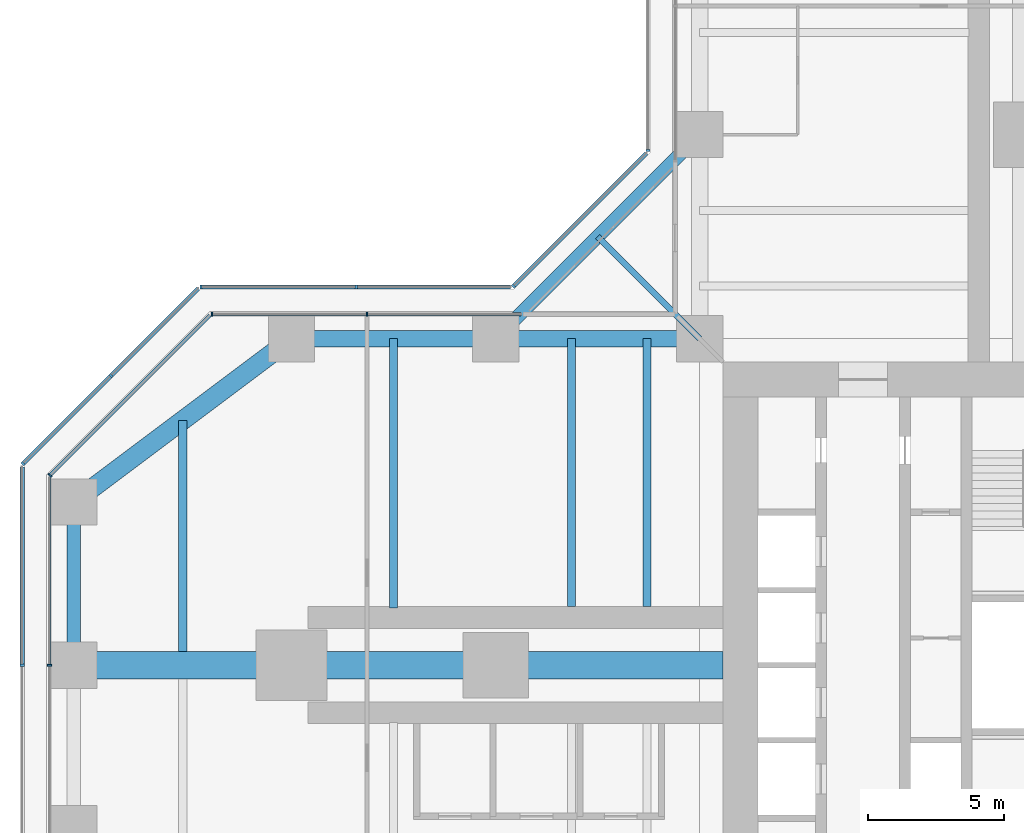
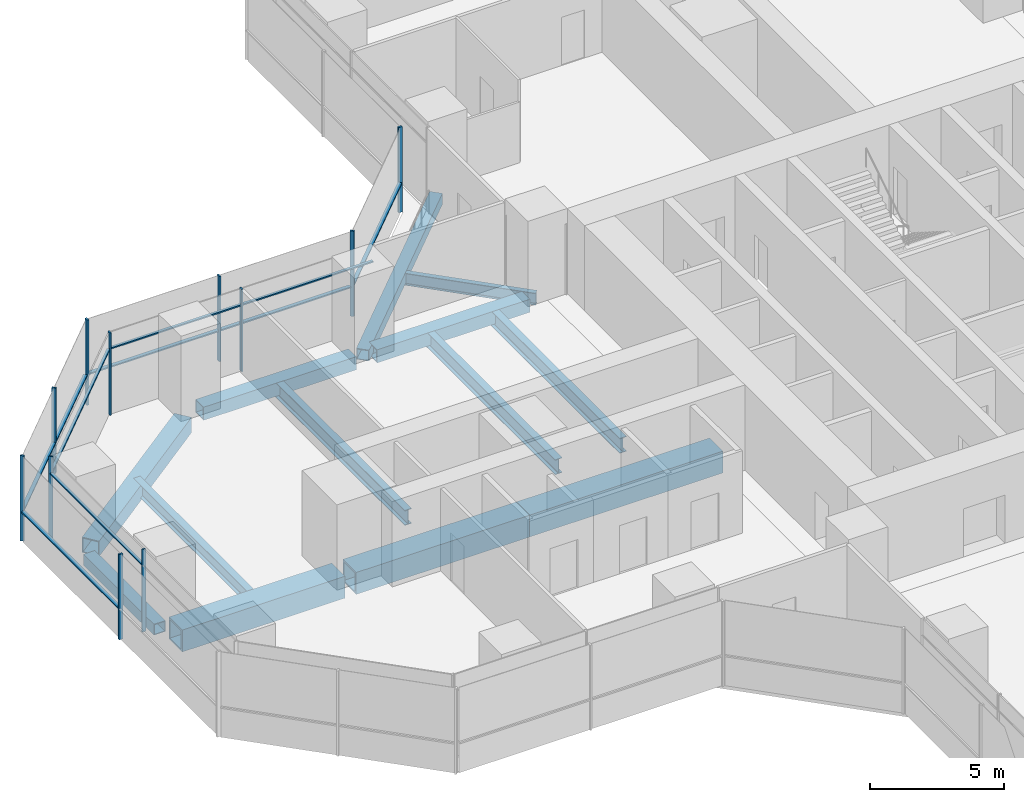
# One storey, part 8 of 22: 21 members, 13 beams, 8 elements without a shape of their own.
"""IFC4 building model written with IfcOpenShell, lengths in metres."""

from ifc_helpers import new_model, si_unit, direction, frame, origin, origin_2d, place, context, subcontext, project, spatial, rectangle, hollow_rectangle, i_section, extrude, material, material_profile, profile_set, type_object, element, aggregate, save


model = new_model("IFC4")

# Units and contexts
model_context = context("Model", 3, precision=1e-05, world=origin(), true_north=direction((0.0, 1.0)))
body_context = subcontext(model_context, "Body", "Model", "MODEL_VIEW")
ifc_project = project(units=[si_unit("LENGTHUNIT", "METRE"), si_unit("AREAUNIT", "SQUARE_METRE"), si_unit("VOLUMEUNIT", "CUBIC_METRE"), si_unit("PLANEANGLEUNIT", "RADIAN"), si_unit("MASSUNIT", "GRAM", prefix="KILO")], contexts=[model_context])

# Site, building, storey
site_placement = place(None, origin())
site = spatial("IfcSite", under=ifc_project, at=site_placement, CompositionType="ELEMENT")
building_placement = place(site_placement, origin())
building = spatial("IfcBuilding", under=site, at=building_placement, Name="Mizan Broadcast Tower", CompositionType="ELEMENT")
storey_placement = place(building_placement, frame((0.0, 0.0, 43.5)))
storey = spatial("IfcBuildingStorey", under=building, at=storey_placement, Name="L07", CompositionType="ELEMENT", Elevation=43.5)

# Beams
ifc_material_1 = material(Name="Steel S355", Category="steel")
ifc_material_profile_1 = material_profile(ifc_material_1, hollow_rectangle(XDim=0.5, YDim=0.5, WallThickness=0.030029296875, at=origin_2d()), Name="BOX 500x500x30")
ifc_profile_set_1 = profile_set([ifc_material_profile_1], Name="Steel S355")
beam_type_1 = type_object("IfcBeamType", Name="EDGE BEAM BOX 500x500x30", PredefinedType="SPANDREL", material=ifc_profile_set_1)
beam_1_placement = place(storey_placement, frame((-35.0, 5.639892578125, -0.3798828125), z_axis=(0.0, -1.0, 0.0), x_axis=(1.0, 0.0, 0.0)))
element("IfcBeam", 1, at=beam_1_placement, inside=storey, type_object=beam_type_1, Name="Edge beam BOX 500x500x30 L07 west arm", PredefinedType="SPANDREL", context=body_context, shape_type="SweptSolid", body=[
    extrude(hollow_rectangle(XDim=0.5, YDim=0.5, WallThickness=0.030029296875, at=origin_2d()), origin(), (0.0, 0.0, 1.0), 5.27978515625),
])
beam_2_placement = place(storey_placement, frame((-12.0, 19.5, -0.3798828125), z_axis=(-0.707106781187, -0.707106781187, 0.0), x_axis=(0.707106781187, -0.707106781187, 0.0)))
element("IfcBeam", 2, at=beam_2_placement, inside=storey, type_object=beam_type_1, Name="Winter garden edge beam L07 N", PredefinedType="SPANDREL", context=body_context, shape_type="SweptSolid", body=[
    extrude(hollow_rectangle(XDim=0.5, YDim=0.5, WallThickness=0.030029296875, at=origin_2d()), origin(), (0.0, 0.0, 1.0), 10.606689453125),
])
ifc_material_2 = material(Name="Steel S355", Category="steel")
ifc_material_profile_2 = material_profile(ifc_material_2, hollow_rectangle(XDim=0.60009765625, YDim=0.60009765625, WallThickness=0.0400390625, at=origin_2d()), Name="BOX 600x600x40")
ifc_profile_set_2 = profile_set([ifc_material_profile_2], Name="Steel S355")
beam_type_2 = type_object("IfcBeamType", Name="EDGE BEAM BOX 600x600x40", PredefinedType="SPANDREL", material=ifc_profile_set_2)
for number, where, z_axis, x_axis, name in (
    (3, (-12.449951171875, 12.0, -0.429931640625), (-1.0, 0.0, 0.0), (0.0, -1.0, 0.0), "Edge beam BOX 600x600x40 L07 west arm"),
    (4, (-19.949951171875, 12.0, -0.429931640625), (-1.0, 0.0, 0.0), (0.0, -1.0, 0.0), "Edge beam BOX 600x600x40 L07 west arm"),
):
    element("IfcBeam", number, at=place(storey_placement, frame(where, z_axis=z_axis, x_axis=x_axis)), inside=storey, type_object=beam_type_2, Name=name, PredefinedType="SPANDREL", context=body_context, shape_type="SweptSolid", body=[
        extrude(hollow_rectangle(XDim=0.60009765625, YDim=0.60009765625, WallThickness=0.0400390625, at=origin_2d()), origin(), (0.0, 0.0, 1.0), 6.60009765625),
    ])
ifc_material_3 = material(Name="Steel S355", Category="steel")
ifc_material_profile_3 = material_profile(ifc_material_3, hollow_rectangle(XDim=0.699951171875, YDim=0.699951171875, WallThickness=0.0400390625, at=origin_2d()), Name="BOX 700x700x40")
ifc_profile_set_3 = profile_set([ifc_material_profile_3], Name="Steel S355")
beam_type_3 = type_object("IfcBeamType", Name="EDGE BEAM BOX 700x700x40", PredefinedType="SPANDREL", material=ifc_profile_set_3)
beam_3_placement = place(storey_placement, frame((-27.47998046875, 11.639892578125, -0.47998046875), z_axis=(-0.800013316712, -0.599982243973, 0.0), x_axis=(0.599982243973, -0.800013316712, 0.0)))
element("IfcBeam", 5, at=beam_3_placement, inside=storey, type_object=beam_type_3, Name="Edge beam BOX 700x700x40 L07 west arm", PredefinedType="SPANDREL", context=body_context, shape_type="SweptSolid", body=[
    extrude(hollow_rectangle(XDim=0.699951171875, YDim=0.699951171875, WallThickness=0.0400390625, at=origin_2d()), origin(), (0.0, 0.0, 1.0), 8.7998046875),
])
ifc_material_4 = material(Name="Steel S460", Category="steel")
ifc_material_profile_4 = material_profile(ifc_material_4, hollow_rectangle(XDim=1.0, YDim=1.0, WallThickness=0.080078125, at=origin_2d()), Name="BOX 1000x1000x80")
ifc_profile_set_4 = profile_set([ifc_material_profile_4], Name="Steel S460")
beam_type_4 = type_object("IfcBeamType", Name="GIRDER BOX 1000x1000x80", PredefinedType="BEAM", material=ifc_profile_set_4)
beam_4_placement = place(storey_placement, frame((-27.47998046875, 0.0, -0.6298828125), z_axis=(-1.0, 0.0, 0.0), x_axis=(0.0, -1.0, 0.0)))
element("IfcBeam", 6, at=beam_4_placement, inside=storey, type_object=beam_type_4, Name="Girder BOX 1000x1000x80 L07 west arm", PredefinedType="BEAM", context=body_context, shape_type="SweptSolid", body=[
    extrude(hollow_rectangle(XDim=1.0, YDim=1.0, WallThickness=0.080078125, at=origin_2d()), origin(), (0.0, 0.0, 1.0), 7.0400390625),
])

# Curtain wall, members
ifc_material_5 = material(Name="Aluminium framed glazing", Category="aluminium")
curtain_wall_type_1 = type_object("IfcCurtainWallType", Name="INNER SKIN LOW ZONE", PredefinedType="USERDEFINED", material=ifc_material_5)
curtain_wall_1_placement = place(storey_placement, origin())
curtain_wall_1 = element("IfcCurtainWall", 7, at=curtain_wall_1_placement, inside=storey, type_object=curtain_wall_type_1, Name="Inner skin low zone L07 W side", ObjectType="INNER SKIN LOW ZONE", PredefinedType="USERDEFINED")
ifc_material_6 = material(Name="Aluminium, pale anodised", Category="aluminium")
ifc_material_profile_5 = material_profile(ifc_material_6, rectangle(XDim=0.159912109375, YDim=0.06005859375, at=origin_2d()), Name="MULLION 160x60")
ifc_profile_set_5 = profile_set([ifc_material_profile_5], Name="Aluminium, pale anodised")
member_type_1 = type_object("IfcMemberType", Name="INNER SKIN MULLION 60x160", PredefinedType="MULLION", material=ifc_profile_set_5)
member_1_placement = place(storey_placement, frame((-24.229248046875, 12.89990234375, 0.0), z_axis=(0.0, 0.0, 1.0), x_axis=(0.0, -1.0, 0.0)))
member_1 = element("IfcMember", 8, at=member_1_placement, type_object=member_type_1, Name="Inner skin low zone L07 W side mullion 2", PredefinedType="MULLION", context=body_context, shape_type="SweptSolid", body=[
    extrude(rectangle(XDim=0.159912109375, YDim=0.06005859375, at=origin_2d()), origin(), (0.0, 0.0, 1.0), 3.77001953125),
])
member_2_placement = place(storey_placement, frame((-29.928466796875, 12.89990234375, 0.0), z_axis=(0.0, 0.0, 1.0), x_axis=(0.0, -1.0, 0.0)))
member_2 = element("IfcMember", 9, at=member_2_placement, type_object=member_type_1, Name="Inner skin low zone L07 W side mullion 3", PredefinedType="MULLION", context=body_context, shape_type="SweptSolid", body=[
    extrude(rectangle(XDim=0.159912109375, YDim=0.06005859375, at=origin_2d()), origin(), (0.0, 0.0, 1.0), 3.77001953125),
])

# Curtain wall, member
curtain_wall_2_placement = place(storey_placement, origin())
curtain_wall_2 = element("IfcCurtainWall", 10, at=curtain_wall_2_placement, inside=storey, type_object=curtain_wall_type_1, Name="Inner skin low zone L07 W chamfer", ObjectType="INNER SKIN LOW ZONE", PredefinedType="USERDEFINED")
member_3_placement = place(storey_placement, frame((-35.87890625, 6.979736328125, 0.0), z_axis=(0.0, 0.0, 1.0), x_axis=(0.707106781187, -0.707106781187, 0.0)))
member_3 = element("IfcMember", 11, at=member_3_placement, type_object=member_type_1, Name="Inner skin low zone L07 W chamfer mullion 2", PredefinedType="MULLION", context=body_context, shape_type="SweptSolid", body=[
    extrude(rectangle(XDim=0.159912109375, YDim=0.06005859375, at=origin_2d()), origin(), (0.0, 0.0, 1.0), 3.77001953125),
])

curtain_wall_3_placement = place(storey_placement, origin())
curtain_wall_3 = element("IfcCurtainWall", 12, at=curtain_wall_3_placement, inside=storey, type_object=curtain_wall_type_1, Name="Inner skin low zone L07 W end", ObjectType="INNER SKIN LOW ZONE", PredefinedType="USERDEFINED")
member_4_placement = place(storey_placement, frame((-35.89990234375, 0.0, 0.0), z_axis=(0.0, 0.0, 1.0), x_axis=(1.0, 0.0, 0.0)))
member_4 = element("IfcMember", 13, at=member_4_placement, type_object=member_type_1, Name="Inner skin low zone L07 W end mullion 2", PredefinedType="MULLION", context=body_context, shape_type="SweptSolid", body=[
    extrude(rectangle(XDim=0.159912109375, YDim=0.06005859375, at=origin_2d()), origin(), (0.0, 0.0, 1.0), 3.77001953125),
])

# Member
ifc_material_7 = material(Name="Aluminium, pale anodised", Category="aluminium")
ifc_material_profile_6 = material_profile(ifc_material_7, rectangle(XDim=0.1201171875, YDim=0.06005859375, at=origin_2d()), Name="TRANSOM 120x60")
ifc_profile_set_6 = profile_set([ifc_material_profile_6], Name="Aluminium, pale anodised")
member_type_2 = type_object("IfcMemberType", Name="INNER SKIN TRANSOM 60x120", PredefinedType="USERDEFINED", material=ifc_profile_set_6)
member_5_placement = place(storey_placement, frame((-18.56005859375, 12.89990234375, 3.030029296875), z_axis=(-1.0, 0.0, 0.0), x_axis=(0.0, -1.0, 0.0)))
member_5 = element("IfcMember", 14, at=member_5_placement, type_object=member_type_2, Name="Inner skin low zone L07 W side transom 1.1", ObjectType="TRANSOM", PredefinedType="USERDEFINED", context=body_context, shape_type="SweptSolid", body=[
    extrude(rectangle(XDim=0.1201171875, YDim=0.06005859375, at=origin_2d()), origin(), (0.0, 0.0, 1.0), 5.63916015625),
])

member_6_placement = place(storey_placement, frame((-24.25927734375, 12.89990234375, 3.030029296875), z_axis=(-1.0, 0.0, 0.0), x_axis=(0.0, -1.0, 0.0)))
member_6 = element("IfcMember", 15, at=member_6_placement, type_object=member_type_2, Name="Inner skin low zone L07 W side transom 2.1", ObjectType="TRANSOM", PredefinedType="USERDEFINED", context=body_context, shape_type="SweptSolid", body=[
    extrude(rectangle(XDim=0.1201171875, YDim=0.06005859375, at=origin_2d()), origin(), (0.0, 0.0, 1.0), 5.639404296875),
])

aggregate(curtain_wall_1, [member_1, member_2, member_5, member_6])

member_7_placement = place(storey_placement, frame((-30.0009765625, 12.857666015625, 3.030029296875), z_axis=(-0.707106781187, -0.707106781187, 0.0), x_axis=(0.707106781187, -0.707106781187, 0.0)))
member_7 = element("IfcMember", 16, at=member_7_placement, type_object=member_type_2, Name="Inner skin low zone L07 W chamfer transom 1.1", ObjectType="TRANSOM", PredefinedType="USERDEFINED", context=body_context, shape_type="SweptSolid", body=[
    extrude(rectangle(XDim=0.1201171875, YDim=0.06005859375, at=origin_2d()), origin(), (0.0, 0.0, 1.0), 8.28271484375),
])

aggregate(curtain_wall_2, [member_3, member_7])

member_8_placement = place(storey_placement, frame((-35.89990234375, 6.898681640625, 3.030029296875), z_axis=(0.0, -1.0, 0.0), x_axis=(1.0, 0.0, 0.0)))
member_8 = element("IfcMember", 17, at=member_8_placement, type_object=member_type_2, Name="Inner skin low zone L07 W end transom 1.1", ObjectType="TRANSOM", PredefinedType="USERDEFINED", context=body_context, shape_type="SweptSolid", body=[
    extrude(rectangle(XDim=0.1201171875, YDim=0.06005859375, at=origin_2d()), origin(), (0.0, 0.0, 1.0), 6.86865234375),
])

aggregate(curtain_wall_3, [member_4, member_8])

# Curtain wall, member
ifc_material_8 = material(Name="Aluminium framed glazing", Category="aluminium")
curtain_wall_type_2 = type_object("IfcCurtainWallType", Name="OUTER SKIN", PredefinedType="USERDEFINED", material=ifc_material_8)
curtain_wall_4_placement = place(storey_placement, origin())
curtain_wall_4 = element("IfcCurtainWall", 18, at=curtain_wall_4_placement, inside=storey, type_object=curtain_wall_type_2, Name="Outer skin L07 N side", ObjectType="OUTER SKIN", PredefinedType="USERDEFINED")
ifc_material_9 = material(Name="Aluminium, pale anodised", Category="aluminium")
ifc_material_profile_7 = material_profile(ifc_material_9, rectangle(XDim=0.159912109375, YDim=0.080078125, at=origin_2d()), Name="MULLION 160x80")
ifc_profile_set_7 = profile_set([ifc_material_profile_7], Name="Aluminium, pale anodised")
member_type_3 = type_object("IfcMemberType", Name="OUTER SKIN MULLION 80x160", PredefinedType="MULLION", material=ifc_profile_set_7)
member_9_placement = place(storey_placement, frame((-13.89990234375, 18.912841796875, 0.0), z_axis=(0.0, 0.0, 1.0), x_axis=(1.0, 0.0, 0.0)))
member_9 = element("IfcMember", 19, at=member_9_placement, type_object=member_type_3, Name="Outer skin L07 N side mullion 3", PredefinedType="MULLION", context=body_context, shape_type="SweptSolid", body=[
    extrude(rectangle(XDim=0.159912109375, YDim=0.080078125, at=origin_2d()), origin(), (0.0, 0.0, 1.0), 3.89990234375),
])
aggregate(curtain_wall_4, [member_9])

curtain_wall_5_placement = place(storey_placement, origin())
curtain_wall_5 = element("IfcCurtainWall", 20, at=curtain_wall_5_placement, inside=storey, type_object=curtain_wall_type_2, Name="Outer skin L07 W chamfer", ObjectType="OUTER SKIN", PredefinedType="USERDEFINED")
member_10_placement = place(storey_placement, frame((-18.844482421875, 13.92822265625, 0.0), z_axis=(0.0, 0.0, 1.0), x_axis=(0.707106781187, -0.707106781187, 0.0)))
member_10 = element("IfcMember", 21, at=member_10_placement, type_object=member_type_3, Name="Outer skin L07 W chamfer mullion 2", PredefinedType="MULLION", context=body_context, shape_type="SweptSolid", body=[
    extrude(rectangle(XDim=0.159912109375, YDim=0.080078125, at=origin_2d()), origin(), (0.0, 0.0, 1.0), 3.89990234375),
])

# Curtain wall, members
curtain_wall_6_placement = place(storey_placement, origin())
curtain_wall_6 = element("IfcCurtainWall", 22, at=curtain_wall_6_placement, inside=storey, type_object=curtain_wall_type_2, Name="Outer skin L07 W side", ObjectType="OUTER SKIN", PredefinedType="USERDEFINED")
member_11_placement = place(storey_placement, frame((-24.622802734375, 13.89990234375, 0.0), z_axis=(0.0, 0.0, 1.0), x_axis=(0.0, -1.0, 0.0)))
member_11 = element("IfcMember", 23, at=member_11_placement, type_object=member_type_3, Name="Outer skin L07 W side mullion 2", PredefinedType="MULLION", context=body_context, shape_type="SweptSolid", body=[
    extrude(rectangle(XDim=0.159912109375, YDim=0.080078125, at=origin_2d()), origin(), (0.0, 0.0, 1.0), 3.89990234375),
])
member_12_placement = place(storey_placement, frame((-30.332763671875, 13.89990234375, 0.0), z_axis=(0.0, 0.0, 1.0), x_axis=(0.0, -1.0, 0.0)))
member_12 = element("IfcMember", 24, at=member_12_placement, type_object=member_type_3, Name="Outer skin L07 W side mullion 3", PredefinedType="MULLION", context=body_context, shape_type="SweptSolid", body=[
    extrude(rectangle(XDim=0.159912109375, YDim=0.080078125, at=origin_2d()), origin(), (0.0, 0.0, 1.0), 3.89990234375),
])

curtain_wall_7_placement = place(storey_placement, origin())
curtain_wall_7 = element("IfcCurtainWall", 25, at=curtain_wall_7_placement, inside=storey, type_object=curtain_wall_type_2, Name="Outer skin L07 W chamfer", ObjectType="OUTER SKIN", PredefinedType="USERDEFINED")
member_13_placement = place(storey_placement, frame((-33.636474609375, 10.636474609375, 0.0), z_axis=(0.0, 0.0, 1.0), x_axis=(0.707106781187, -0.707106781187, 0.0)))
member_13 = element("IfcMember", 26, at=member_13_placement, type_object=member_type_3, Name="Outer skin L07 W chamfer mullion 2", PredefinedType="MULLION", context=body_context, shape_type="SweptSolid", body=[
    extrude(rectangle(XDim=0.159912109375, YDim=0.080078125, at=origin_2d()), origin(), (0.0, 0.0, 1.0), 3.89990234375),
])
member_14_placement = place(storey_placement, frame((-36.871826171875, 7.401123046875, 0.0), z_axis=(0.0, 0.0, 1.0), x_axis=(0.707106781187, -0.707106781187, 0.0)))
member_14 = element("IfcMember", 27, at=member_14_placement, type_object=member_type_3, Name="Outer skin L07 W chamfer mullion 3", PredefinedType="MULLION", context=body_context, shape_type="SweptSolid", body=[
    extrude(rectangle(XDim=0.159912109375, YDim=0.080078125, at=origin_2d()), origin(), (0.0, 0.0, 1.0), 3.89990234375),
])

# Curtain wall, member
curtain_wall_8_placement = place(storey_placement, origin())
curtain_wall_8 = element("IfcCurtainWall", 28, at=curtain_wall_8_placement, inside=storey, type_object=curtain_wall_type_2, Name="Outer skin L07 W end", ObjectType="OUTER SKIN", PredefinedType="USERDEFINED")
member_15_placement = place(storey_placement, frame((-36.89990234375, 0.0, 0.0), z_axis=(0.0, 0.0, 1.0), x_axis=(1.0, 0.0, 0.0)))
member_15 = element("IfcMember", 29, at=member_15_placement, type_object=member_type_3, Name="Outer skin L07 W end mullion 2", PredefinedType="MULLION", context=body_context, shape_type="SweptSolid", body=[
    extrude(rectangle(XDim=0.159912109375, YDim=0.080078125, at=origin_2d()), origin(), (0.0, 0.0, 1.0), 3.89990234375),
])

# Member
ifc_material_10 = material(Name="Aluminium, pale anodised", Category="aluminium")
ifc_material_profile_8 = material_profile(ifc_material_10, rectangle(XDim=0.159912109375, YDim=0.06005859375, at=origin_2d()), Name="TRANSOM 160x60")
ifc_profile_set_8 = profile_set([ifc_material_profile_8], Name="Aluminium, pale anodised")
member_type_4 = type_object("IfcMemberType", Name="OUTER SKIN TRANSOM 60x160", PredefinedType="USERDEFINED", material=ifc_profile_set_8)
member_16_placement = place(storey_placement, frame((-13.95654296875, 18.816162109375, 1.39990234375), z_axis=(-0.707106781187, -0.707106781187, 0.0), x_axis=(0.707106781187, -0.707106781187, 0.0)))
member_16 = element("IfcMember", 30, at=member_16_placement, type_object=member_type_4, Name="Outer skin L07 W chamfer transom 1.1", ObjectType="TRANSOM", PredefinedType="USERDEFINED", context=body_context, shape_type="SweptSolid", body=[
    extrude(rectangle(XDim=0.159912109375, YDim=0.06005859375, at=origin_2d()), origin(), (0.0, 0.0, 1.0), 6.87255859375),
])

aggregate(curtain_wall_5, [member_10, member_16])

member_17_placement = place(storey_placement, frame((-18.952880859375, 13.89990234375, 1.39990234375), z_axis=(-1.0, 0.0, 0.0), x_axis=(0.0, -1.0, 0.0)))
member_17 = element("IfcMember", 31, at=member_17_placement, type_object=member_type_4, Name="Outer skin L07 W side transom 1.1", ObjectType="TRANSOM", PredefinedType="USERDEFINED", context=body_context, shape_type="SweptSolid", body=[
    extrude(rectangle(XDim=0.159912109375, YDim=0.06005859375, at=origin_2d()), origin(), (0.0, 0.0, 1.0), 5.6298828125),
])

member_18_placement = place(storey_placement, frame((-24.662841796875, 13.89990234375, 1.39990234375), z_axis=(-1.0, 0.0, 0.0), x_axis=(0.0, -1.0, 0.0)))
member_18 = element("IfcMember", 32, at=member_18_placement, type_object=member_type_4, Name="Outer skin L07 W side transom 2.1", ObjectType="TRANSOM", PredefinedType="USERDEFINED", context=body_context, shape_type="SweptSolid", body=[
    extrude(rectangle(XDim=0.159912109375, YDim=0.06005859375, at=origin_2d()), origin(), (0.0, 0.0, 1.0), 5.6298828125),
])

aggregate(curtain_wall_6, [member_11, member_12, member_17, member_18])

member_19_placement = place(storey_placement, frame((-30.429443359375, 13.843505859375, 1.39990234375), z_axis=(-0.707106781187, -0.707106781187, 0.0), x_axis=(0.707106781187, -0.707106781187, 0.0)))
member_19 = element("IfcMember", 33, at=member_19_placement, type_object=member_type_4, Name="Outer skin L07 W chamfer transom 1.1", ObjectType="TRANSOM", PredefinedType="USERDEFINED", context=body_context, shape_type="SweptSolid", body=[
    extrude(rectangle(XDim=0.159912109375, YDim=0.06005859375, at=origin_2d()), origin(), (0.0, 0.0, 1.0), 4.495361328125),
])

member_20_placement = place(storey_placement, frame((-33.664794921875, 10.608154296875, 1.39990234375), z_axis=(-0.707106781187, -0.707106781187, 0.0), x_axis=(0.707106781187, -0.707106781187, 0.0)))
member_20 = element("IfcMember", 34, at=member_20_placement, type_object=member_type_4, Name="Outer skin L07 W chamfer transom 2.1", ObjectType="TRANSOM", PredefinedType="USERDEFINED", context=body_context, shape_type="SweptSolid", body=[
    extrude(rectangle(XDim=0.159912109375, YDim=0.06005859375, at=origin_2d()), origin(), (0.0, 0.0, 1.0), 4.495361328125),
])

aggregate(curtain_wall_7, [member_13, member_14, member_19, member_20])

member_21_placement = place(storey_placement, frame((-36.89990234375, 7.292724609375, 1.39990234375), z_axis=(0.0, -1.0, 0.0), x_axis=(1.0, 0.0, 0.0)))
member_21 = element("IfcMember", 35, at=member_21_placement, type_object=member_type_4, Name="Outer skin L07 W end transom 1.1", ObjectType="TRANSOM", PredefinedType="USERDEFINED", context=body_context, shape_type="SweptSolid", body=[
    extrude(rectangle(XDim=0.159912109375, YDim=0.06005859375, at=origin_2d()), origin(), (0.0, 0.0, 1.0), 7.252685546875),
])

aggregate(curtain_wall_8, [member_15, member_21])

# Beams
ifc_material_11 = material(Name="Steel S460", Category="steel")
ifc_material_profile_9 = material_profile(ifc_material_11, hollow_rectangle(XDim=1.0, YDim=1.0, WallThickness=0.080078125, at=origin_2d()), Name="BOX 1000x1000x80")
ifc_profile_set_9 = profile_set([ifc_material_profile_9], Name="Steel S460")
beam_type_5 = type_object("IfcBeamType", Name="OUTRIGGER TRUSS OT1 CHORD BOX 1000x1000x80", PredefinedType="BEAM", material=ifc_profile_set_9)
beam_5_placement = place(storey_placement, frame((-11.14990234375, 0.0, -0.6298828125), z_axis=(-1.0, 0.0, 0.0), x_axis=(0.0, -1.0, 0.0)))
element("IfcBeam", 36, at=beam_5_placement, inside=storey, type_object=beam_type_5, Name="Outrigger truss OT1-W top chord 1", PredefinedType="BEAM", context=body_context, shape_type="SweptSolid", body=[
    extrude(hollow_rectangle(XDim=1.0, YDim=1.0, WallThickness=0.080078125, at=origin_2d()), origin(), (0.0, 0.0, 1.0), 8.35009765625),
])
beam_6_placement = place(storey_placement, frame((-19.5, 0.0, -0.6298828125), z_axis=(-1.0, 0.0, 0.0), x_axis=(0.0, -1.0, 0.0)))
element("IfcBeam", 37, at=beam_6_placement, inside=storey, type_object=beam_type_5, Name="Outrigger truss OT1-W top chord 2", PredefinedType="BEAM", context=body_context, shape_type="SweptSolid", body=[
    extrude(hollow_rectangle(XDim=1.0, YDim=1.0, WallThickness=0.080078125, at=origin_2d()), origin(), (0.0, 0.0, 1.0), 7.5),
])
ifc_material_12 = material(Name="Steel S355", Category="steel")
ifc_material_profile_10 = material_profile(ifc_material_12, i_section(OverallWidth=0.300048828125, OverallDepth=0.590087890625, WebThickness=0.012939453125, FlangeThickness=0.02490234375, FilletRadius=0.027099609375, at=origin_2d()), Name="HEA 600")
ifc_profile_set_10 = profile_set([ifc_material_profile_10], Name="Steel S355")
beam_type_6 = type_object("IfcBeamType", Name="SECONDARY BEAM HEA 600", PredefinedType="JOIST", material=ifc_profile_set_10)
beam_7_placement = place(storey_placement, frame((-31.0, 9.0, -0.425048828125), z_axis=(0.0, -1.0, 0.0), x_axis=(1.0, 0.0, 0.0)))
element("IfcBeam", 38, at=beam_7_placement, inside=storey, type_object=beam_type_6, Name="Secondary beam HEA 600 L07 west arm", PredefinedType="JOIST", context=body_context, shape_type="SweptSolid", body=[
    extrude(i_section(OverallWidth=0.300048828125, OverallDepth=0.590087890625, WebThickness=0.012939453125, FlangeThickness=0.02490234375, FilletRadius=0.027099609375, at=origin_2d()), origin(), (0.0, 0.0, 1.0), 8.5),
])
ifc_material_13 = material(Name="Steel S355", Category="steel")
ifc_material_profile_11 = material_profile(ifc_material_13, i_section(OverallWidth=0.300048828125, OverallDepth=0.68994140625, WebThickness=0.014404296875, FlangeThickness=0.027099609375, FilletRadius=0.027099609375, at=origin_2d()), Name="HEA 700")
ifc_profile_set_11 = profile_set([ifc_material_profile_11], Name="Steel S355")
beam_type_7 = type_object("IfcBeamType", Name="SECONDARY BEAM HEA 700", PredefinedType="JOIST", material=ifc_profile_set_11)
for number, where, z_axis, x_axis, name in (
    (39, (-13.933349609375, 12.0, -0.47509765625), (0.0, -1.0, 0.0), (1.0, 0.0, 0.0), "Secondary beam HEA 700 L07 west arm"),
    (40, (-16.716552734375, 12.0, -0.47509765625), (0.0, -1.0, 0.0), (1.0, 0.0, 0.0), "Secondary beam HEA 700 L07 west arm"),
):
    element("IfcBeam", number, at=place(storey_placement, frame(where, z_axis=z_axis, x_axis=x_axis)), inside=storey, type_object=beam_type_7, Name=name, PredefinedType="JOIST", context=body_context, shape_type="SweptSolid", body=[
        extrude(i_section(OverallWidth=0.300048828125, OverallDepth=0.68994140625, WebThickness=0.014404296875, FlangeThickness=0.027099609375, FilletRadius=0.027099609375, at=origin_2d()), origin(), (0.0, 0.0, 1.0), 9.85009765625),
    ])
beam_8_placement = place(storey_placement, frame((-23.25, 12.0, -0.47509765625), z_axis=(0.0, -1.0, 0.0), x_axis=(1.0, 0.0, 0.0)))
element("IfcBeam", 41, at=beam_8_placement, inside=storey, type_object=beam_type_7, Name="Secondary beam HEA 700 L07 west arm", PredefinedType="JOIST", context=body_context, shape_type="SweptSolid", body=[
    extrude(i_section(OverallWidth=0.300048828125, OverallDepth=0.68994140625, WebThickness=0.014404296875, FlangeThickness=0.027099609375, FilletRadius=0.027099609375, at=origin_2d()), origin(), (0.0, 0.0, 1.0), 9.89990234375),
])
ifc_material_14 = material(Name="Steel S355", Category="steel")
ifc_material_profile_12 = material_profile(ifc_material_14, i_section(OverallWidth=0.2099609375, OverallDepth=0.550048828125, WebThickness=0.010986328125, FlangeThickness=0.01708984375, FilletRadius=0.02392578125, at=origin_2d()), Name="IPE 550")
ifc_profile_set_12 = profile_set([ifc_material_profile_12], Name="Steel S355")
beam_type_8 = type_object("IfcBeamType", Name="SECONDARY BEAM IPE 550", PredefinedType="JOIST", material=ifc_profile_set_12)
beam_9_placement = place(storey_placement, frame((-12.0, 12.0, -0.405029296875), z_axis=(-0.707106781187, 0.707106781187, 0.0), x_axis=(-0.707106781187, -0.707106781187, 0.0)))
element("IfcBeam", 42, at=beam_9_placement, inside=storey, type_object=beam_type_8, Name="Winter garden beam L07 N", PredefinedType="JOIST", context=body_context, shape_type="SweptSolid", body=[
    extrude(i_section(OverallWidth=0.2099609375, OverallDepth=0.550048828125, WebThickness=0.010986328125, FlangeThickness=0.01708984375, FilletRadius=0.02392578125, at=origin_2d()), origin(), (0.0, 0.0, 1.0), 5.30322265625),
])

save(model, "model.ifc")
